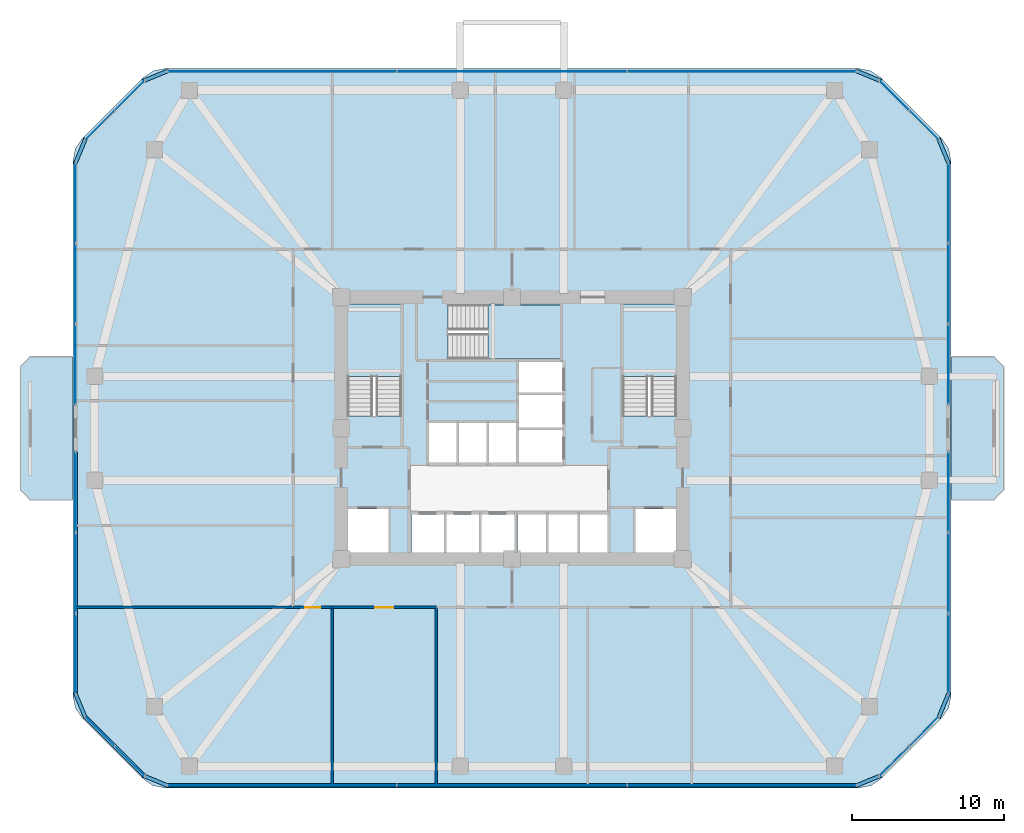
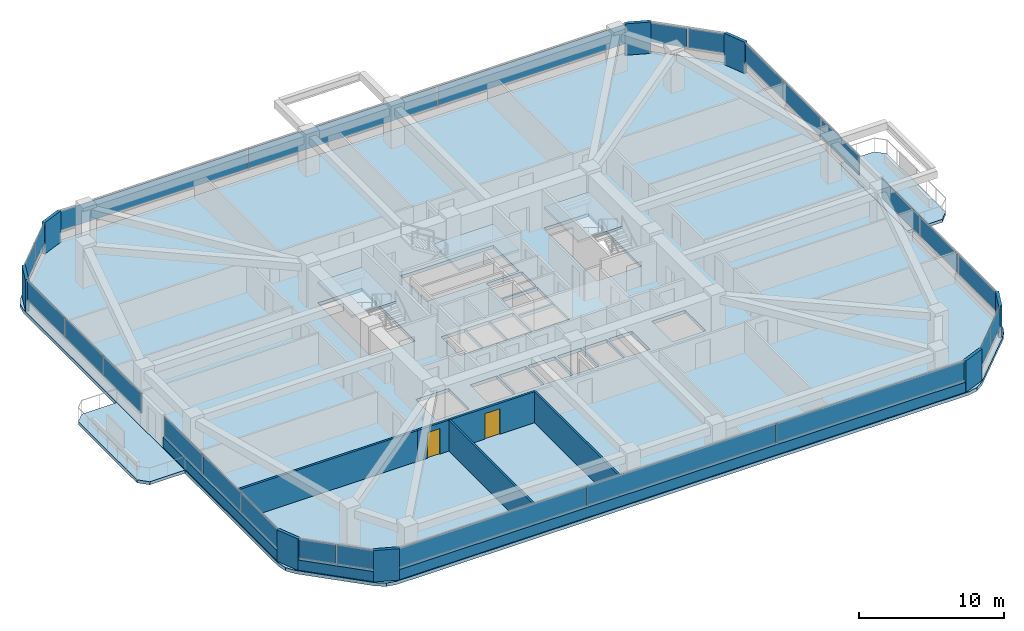
# One storey, part 9 of 15: 34 plates, 8 walls, 6 slabs, 2 doors, 2 openings, 13 elements without a shape of their own.
"""IFC4 building model written with IfcOpenShell, lengths in metres."""

from ifc_helpers import new_model, si_unit, derived_unit, direction, frame, frame_2d, origin, origin_2d, place, context, subcontext, project, spatial, polyline, rectangle, outline, extrude, material, layer, layer_set, type_object, element, fill, aggregate, save


model = new_model("IFC4")

# Units and contexts
model_context = context("Model", 3, precision=1e-05, world=origin(), true_north=direction((0.0, 1.0)))
body_context = subcontext(model_context, "Body", "Model", "MODEL_VIEW")
ifc_project = project(units=[si_unit("LENGTHUNIT", "METRE"), si_unit("AREAUNIT", "SQUARE_METRE"), si_unit("VOLUMEUNIT", "CUBIC_METRE"), si_unit("PLANEANGLEUNIT", "RADIAN"), si_unit("MASSUNIT", "GRAM", prefix="KILO"), derived_unit("THERMALTRANSMITTANCEUNIT", [(si_unit("POWERUNIT", "WATT"), 1), (si_unit("LENGTHUNIT", "METRE"), -2), (si_unit("THERMODYNAMICTEMPERATUREUNIT", "KELVIN"), -1)])], contexts=[model_context])

# Site, building, storey
site_placement = place(None, origin())
site = spatial("IfcSite", under=ifc_project, at=site_placement, CompositionType="ELEMENT")
building_placement = place(site_placement, origin())
building = spatial("IfcBuilding", under=site, at=building_placement, Name="Koralith Skygarden Medical Center", CompositionType="ELEMENT")
storey_placement = place(building_placement, frame((0.0, 0.0, 41.93994140625)))
storey = spatial("IfcBuildingStorey", under=building, at=storey_placement, Name="L10", CompositionType="ELEMENT", Elevation=41.93994140625)

# Curtain wall, plates
ifc_material_1 = material(Name="Clear Laminated Glass", Category="glass")
curtain_wall_type = type_object("IfcCurtainWallType", Name="CW-2 Zone 1 Hurricane Unitised Curtain Wall", PredefinedType="NOTDEFINED", material=ifc_material_1)
curtain_wall_1_placement = place(storey_placement, origin())
curtain_wall_1 = element("IfcCurtainWall", 1, at=curtain_wall_1_placement, inside=storey, type_object=curtain_wall_type, Name="Curtain Wall CW-L10-S", PredefinedType="NOTDEFINED")
ifc_layer_1 = layer(ifc_material_1, 0.031982421875)
ifc_layer_set_1 = layer_set([ifc_layer_1], Name="Clear Laminated Glass")
plate_type_1 = type_object("IfcPlateType", Name="CW-2 Hurricane Laminated IGU Panel 32", PredefinedType="CURTAIN_PANEL", material=ifc_layer_set_1)
plate_1_placement = place(storey_placement, frame((21.903076171875, 2.47998046875, 0.919921875), z_axis=(0.0, 0.0, 1.0), x_axis=(1.0, 0.0, 0.0)))
plate_1 = element("IfcPlate", 2, at=plate_1_placement, type_object=plate_type_1, Name="CW-L10-S Glazed Panel 1", PredefinedType="CURTAIN_PANEL", context=body_context, shape_type="SweptSolid", body=[
    extrude(rectangle(XDim=15.007080078125, YDim=0.031982421875, at=origin_2d()), origin(), (0.0, 0.0, 1.0), 1.659912109375),
])
plate_2_placement = place(storey_placement, frame((37.0, 2.47998046875, 0.919921875), z_axis=(0.0, 0.0, 1.0), x_axis=(1.0, 0.0, 0.0)))
plate_2 = element("IfcPlate", 3, at=plate_2_placement, type_object=plate_type_1, Name="CW-L10-S Glazed Panel 2", PredefinedType="CURTAIN_PANEL", context=body_context, shape_type="SweptSolid", body=[
    extrude(rectangle(XDim=15.007080078125, YDim=0.031982421875, at=origin_2d()), origin(), (0.0, 0.0, 1.0), 1.659912109375),
])
plate_3_placement = place(storey_placement, frame((52.096923828125, 2.47998046875, 0.919921875), z_axis=(0.0, 0.0, 1.0), x_axis=(1.0, 0.0, 0.0)))
plate_3 = element("IfcPlate", 4, at=plate_3_placement, type_object=plate_type_1, Name="CW-L10-S Glazed Panel 3", PredefinedType="CURTAIN_PANEL", context=body_context, shape_type="SweptSolid", body=[
    extrude(rectangle(XDim=15.007080078125, YDim=0.031982421875, at=origin_2d()), origin(), (0.0, 0.0, 1.0), 1.659912109375),
])
aggregate(curtain_wall_1, [plate_1, plate_2, plate_3])

curtain_wall_2_placement = place(storey_placement, origin())
curtain_wall_2 = element("IfcCurtainWall", 5, at=curtain_wall_2_placement, inside=storey, type_object=curtain_wall_type, Name="Curtain Wall CW-L10-SE", PredefinedType="NOTDEFINED")
plate_4_placement = place(storey_placement, frame((62.076904296875, 4.06201171875, 0.919921875), z_axis=(0.0, 0.0, 1.0), x_axis=(0.707106781187, 0.707106781187, 0.0)))
plate_4 = element("IfcPlate", 6, at=plate_4_placement, type_object=plate_type_1, Name="CW-L10-SE Glazed Panel 1", PredefinedType="CURTAIN_PANEL", context=body_context, shape_type="SweptSolid", body=[
    extrude(rectangle(XDim=2.68408203125, YDim=0.031982421875, at=origin_2d()), origin(), (0.0, 0.0, 1.0), 1.659912109375),
])
plate_5_placement = place(storey_placement, frame((64.0380859375, 6.02294921875, 0.919921875), z_axis=(0.0, 0.0, 1.0), x_axis=(0.707106781187, 0.707106781187, 0.0)))
plate_5 = element("IfcPlate", 7, at=plate_5_placement, type_object=plate_type_1, Name="CW-L10-SE Glazed Panel 2", PredefinedType="CURTAIN_PANEL", context=body_context, shape_type="SweptSolid", body=[
    extrude(rectangle(XDim=2.68408203125, YDim=0.031982421875, at=origin_2d()), origin(), (0.0, 0.0, 1.0), 1.659912109375),
])
aggregate(curtain_wall_2, [plate_4, plate_5])

curtain_wall_3_placement = place(storey_placement, origin())
curtain_wall_3 = element("IfcCurtainWall", 8, at=curtain_wall_3_placement, inside=storey, type_object=curtain_wall_type, Name="Curtain Wall CW-L10-E-L", PredefinedType="NOTDEFINED")
plate_6_placement = place(storey_placement, frame((65.6201171875, 11.10595703125, 0.919921875), z_axis=(0.0, 0.0, 1.0), x_axis=(0.0, 1.0, 0.0)))
plate_6 = element("IfcPlate", 9, at=plate_6_placement, type_object=plate_type_1, Name="CW-L10-E-L Glazed Panel 1", PredefinedType="CURTAIN_PANEL", context=body_context, shape_type="SweptSolid", body=[
    extrude(rectangle(XDim=5.2119140625, YDim=0.031982421875, at=origin_2d()), origin(), (0.0, 0.0, 1.0), 1.659912109375),
])
plate_7_placement = place(storey_placement, frame((65.6201171875, 16.406982421875, 0.919921875), z_axis=(0.0, 0.0, 1.0), x_axis=(0.0, 1.0, 0.0)))
plate_7 = element("IfcPlate", 10, at=plate_7_placement, type_object=plate_type_1, Name="CW-L10-E-L Glazed Panel 2", PredefinedType="CURTAIN_PANEL", context=body_context, shape_type="SweptSolid", body=[
    extrude(rectangle(XDim=5.2119140625, YDim=0.031982421875, at=origin_2d()), origin(), (0.0, 0.0, 1.0), 1.659912109375),
])
plate_8_placement = place(storey_placement, frame((65.6201171875, 21.708984375, 0.919921875), z_axis=(0.0, 0.0, 1.0), x_axis=(0.0, 1.0, 0.0)))
plate_8 = element("IfcPlate", 11, at=plate_8_placement, type_object=plate_type_1, Name="CW-L10-E-L Glazed Panel 3", PredefinedType="CURTAIN_PANEL", context=body_context, shape_type="SweptSolid", body=[
    extrude(rectangle(XDim=5.2119140625, YDim=0.031982421875, at=origin_2d()), origin(), (0.0, 0.0, 1.0), 1.659912109375),
])
aggregate(curtain_wall_3, [plate_6, plate_7, plate_8])

curtain_wall_4_placement = place(storey_placement, origin())
curtain_wall_4 = element("IfcCurtainWall", 12, at=curtain_wall_4_placement, inside=storey, type_object=curtain_wall_type, Name="Curtain Wall CW-L10-E-R", PredefinedType="NOTDEFINED")
plate_9_placement = place(storey_placement, frame((65.6201171875, 30.091064453125, 0.919921875), z_axis=(0.0, 0.0, 1.0), x_axis=(0.0, 1.0, 0.0)))
plate_9 = element("IfcPlate", 13, at=plate_9_placement, type_object=plate_type_1, Name="CW-L10-E-R Glazed Panel 1", PredefinedType="CURTAIN_PANEL", context=body_context, shape_type="SweptSolid", body=[
    extrude(rectangle(XDim=5.2119140625, YDim=0.031982421875, at=origin_2d()), origin(), (0.0, 0.0, 1.0), 1.659912109375),
])
plate_10_placement = place(storey_placement, frame((65.6201171875, 35.39208984375, 0.919921875), z_axis=(0.0, 0.0, 1.0), x_axis=(0.0, 1.0, 0.0)))
plate_10 = element("IfcPlate", 14, at=plate_10_placement, type_object=plate_type_1, Name="CW-L10-E-R Glazed Panel 2", PredefinedType="CURTAIN_PANEL", context=body_context, shape_type="SweptSolid", body=[
    extrude(rectangle(XDim=5.2119140625, YDim=0.031982421875, at=origin_2d()), origin(), (0.0, 0.0, 1.0), 1.659912109375),
])
plate_11_placement = place(storey_placement, frame((65.6201171875, 40.694091796875, 0.919921875), z_axis=(0.0, 0.0, 1.0), x_axis=(0.0, 1.0, 0.0)))
plate_11 = element("IfcPlate", 15, at=plate_11_placement, type_object=plate_type_1, Name="CW-L10-E-R Glazed Panel 3", PredefinedType="CURTAIN_PANEL", context=body_context, shape_type="SweptSolid", body=[
    extrude(rectangle(XDim=5.2119140625, YDim=0.031982421875, at=origin_2d()), origin(), (0.0, 0.0, 1.0), 1.659912109375),
])
aggregate(curtain_wall_4, [plate_9, plate_10, plate_11])

curtain_wall_5_placement = place(storey_placement, origin())
curtain_wall_5 = element("IfcCurtainWall", 16, at=curtain_wall_5_placement, inside=storey, type_object=curtain_wall_type, Name="Curtain Wall CW-L10-NE", PredefinedType="NOTDEFINED")
plate_12_placement = place(storey_placement, frame((64.0380859375, 45.777099609375, 0.919921875), z_axis=(0.0, 0.0, 1.0), x_axis=(-0.707106781187, 0.707106781187, 0.0)))
plate_12 = element("IfcPlate", 17, at=plate_12_placement, type_object=plate_type_1, Name="CW-L10-NE Glazed Panel 1", PredefinedType="CURTAIN_PANEL", context=body_context, shape_type="SweptSolid", body=[
    extrude(rectangle(XDim=2.68408203125, YDim=0.031982421875, at=origin_2d()), origin(), (0.0, 0.0, 1.0), 1.659912109375),
])
plate_13_placement = place(storey_placement, frame((62.076904296875, 47.738037109375, 0.919921875), z_axis=(0.0, 0.0, 1.0), x_axis=(-0.707106781187, 0.707106781187, 0.0)))
plate_13 = element("IfcPlate", 18, at=plate_13_placement, type_object=plate_type_1, Name="CW-L10-NE Glazed Panel 2", PredefinedType="CURTAIN_PANEL", context=body_context, shape_type="SweptSolid", body=[
    extrude(rectangle(XDim=2.68408203125, YDim=0.031982421875, at=origin_2d()), origin(), (0.0, 0.0, 1.0), 1.659912109375),
])
aggregate(curtain_wall_5, [plate_12, plate_13])

curtain_wall_6_placement = place(storey_placement, origin())
curtain_wall_6 = element("IfcCurtainWall", 19, at=curtain_wall_6_placement, inside=storey, type_object=curtain_wall_type, Name="Curtain Wall CW-L10-N", PredefinedType="NOTDEFINED")
plate_14_placement = place(storey_placement, frame((52.096923828125, 49.320068359375, 0.919921875), z_axis=(0.0, 0.0, 1.0), x_axis=(-1.0, 0.0, 0.0)))
plate_14 = element("IfcPlate", 20, at=plate_14_placement, type_object=plate_type_1, Name="CW-L10-N Glazed Panel 1", PredefinedType="CURTAIN_PANEL", context=body_context, shape_type="SweptSolid", body=[
    extrude(rectangle(XDim=15.007080078125, YDim=0.031982421875, at=origin_2d()), origin(), (0.0, 0.0, 1.0), 1.659912109375),
])
plate_15_placement = place(storey_placement, frame((37.0, 49.320068359375, 0.919921875), z_axis=(0.0, 0.0, 1.0), x_axis=(-1.0, 0.0, 0.0)))
plate_15 = element("IfcPlate", 21, at=plate_15_placement, type_object=plate_type_1, Name="CW-L10-N Glazed Panel 2", PredefinedType="CURTAIN_PANEL", context=body_context, shape_type="SweptSolid", body=[
    extrude(rectangle(XDim=15.007080078125, YDim=0.031982421875, at=origin_2d()), origin(), (0.0, 0.0, 1.0), 1.659912109375),
])
plate_16_placement = place(storey_placement, frame((21.903076171875, 49.320068359375, 0.919921875), z_axis=(0.0, 0.0, 1.0), x_axis=(-1.0, 0.0, 0.0)))
plate_16 = element("IfcPlate", 22, at=plate_16_placement, type_object=plate_type_1, Name="CW-L10-N Glazed Panel 3", PredefinedType="CURTAIN_PANEL", context=body_context, shape_type="SweptSolid", body=[
    extrude(rectangle(XDim=15.007080078125, YDim=0.031982421875, at=origin_2d()), origin(), (0.0, 0.0, 1.0), 1.659912109375),
])
aggregate(curtain_wall_6, [plate_14, plate_15, plate_16])

curtain_wall_7_placement = place(storey_placement, origin())
curtain_wall_7 = element("IfcCurtainWall", 23, at=curtain_wall_7_placement, inside=storey, type_object=curtain_wall_type, Name="Curtain Wall CW-L10-NW", PredefinedType="NOTDEFINED")
plate_17_placement = place(storey_placement, frame((11.923095703125, 47.738037109375, 0.919921875), z_axis=(0.0, 0.0, 1.0), x_axis=(-0.707106781187, -0.707106781187, 0.0)))
plate_17 = element("IfcPlate", 24, at=plate_17_placement, type_object=plate_type_1, Name="CW-L10-NW Glazed Panel 1", PredefinedType="CURTAIN_PANEL", context=body_context, shape_type="SweptSolid", body=[
    extrude(rectangle(XDim=2.68408203125, YDim=0.031982421875, at=origin_2d()), origin(), (0.0, 0.0, 1.0), 1.659912109375),
])
plate_18_placement = place(storey_placement, frame((9.9619140625, 45.777099609375, 0.919921875), z_axis=(0.0, 0.0, 1.0), x_axis=(-0.707106781187, -0.707106781187, 0.0)))
plate_18 = element("IfcPlate", 25, at=plate_18_placement, type_object=plate_type_1, Name="CW-L10-NW Glazed Panel 2", PredefinedType="CURTAIN_PANEL", context=body_context, shape_type="SweptSolid", body=[
    extrude(rectangle(XDim=2.68408203125, YDim=0.031982421875, at=origin_2d()), origin(), (0.0, 0.0, 1.0), 1.659912109375),
])
aggregate(curtain_wall_7, [plate_17, plate_18])

curtain_wall_8_placement = place(storey_placement, origin())
curtain_wall_8 = element("IfcCurtainWall", 26, at=curtain_wall_8_placement, inside=storey, type_object=curtain_wall_type, Name="Curtain Wall CW-L10-W-L", PredefinedType="NOTDEFINED")
plate_19_placement = place(storey_placement, frame((8.3798828125, 40.694091796875, 0.919921875), z_axis=(0.0, 0.0, 1.0), x_axis=(0.0, -1.0, 0.0)))
plate_19 = element("IfcPlate", 27, at=plate_19_placement, type_object=plate_type_1, Name="CW-L10-W-L Glazed Panel 1", PredefinedType="CURTAIN_PANEL", context=body_context, shape_type="SweptSolid", body=[
    extrude(rectangle(XDim=5.2119140625, YDim=0.031982421875, at=origin_2d()), origin(), (0.0, 0.0, 1.0), 1.659912109375),
])
plate_20_placement = place(storey_placement, frame((8.3798828125, 35.39208984375, 0.919921875), z_axis=(0.0, 0.0, 1.0), x_axis=(0.0, -1.0, 0.0)))
plate_20 = element("IfcPlate", 28, at=plate_20_placement, type_object=plate_type_1, Name="CW-L10-W-L Glazed Panel 2", PredefinedType="CURTAIN_PANEL", context=body_context, shape_type="SweptSolid", body=[
    extrude(rectangle(XDim=5.2119140625, YDim=0.031982421875, at=origin_2d()), origin(), (0.0, 0.0, 1.0), 1.659912109375),
])
plate_21_placement = place(storey_placement, frame((8.3798828125, 30.091064453125, 0.919921875), z_axis=(0.0, 0.0, 1.0), x_axis=(0.0, -1.0, 0.0)))
plate_21 = element("IfcPlate", 29, at=plate_21_placement, type_object=plate_type_1, Name="CW-L10-W-L Glazed Panel 3", PredefinedType="CURTAIN_PANEL", context=body_context, shape_type="SweptSolid", body=[
    extrude(rectangle(XDim=5.2119140625, YDim=0.031982421875, at=origin_2d()), origin(), (0.0, 0.0, 1.0), 1.659912109375),
])
aggregate(curtain_wall_8, [plate_19, plate_20, plate_21])

curtain_wall_9_placement = place(storey_placement, origin())
curtain_wall_9 = element("IfcCurtainWall", 30, at=curtain_wall_9_placement, inside=storey, type_object=curtain_wall_type, Name="Curtain Wall CW-L10-W-R", PredefinedType="NOTDEFINED")
plate_22_placement = place(storey_placement, frame((8.3798828125, 21.708984375, 0.919921875), z_axis=(0.0, 0.0, 1.0), x_axis=(0.0, -1.0, 0.0)))
plate_22 = element("IfcPlate", 31, at=plate_22_placement, type_object=plate_type_1, Name="CW-L10-W-R Glazed Panel 1", PredefinedType="CURTAIN_PANEL", context=body_context, shape_type="SweptSolid", body=[
    extrude(rectangle(XDim=5.2119140625, YDim=0.031982421875, at=origin_2d()), origin(), (0.0, 0.0, 1.0), 1.659912109375),
])
plate_23_placement = place(storey_placement, frame((8.3798828125, 16.406982421875, 0.919921875), z_axis=(0.0, 0.0, 1.0), x_axis=(0.0, -1.0, 0.0)))
plate_23 = element("IfcPlate", 32, at=plate_23_placement, type_object=plate_type_1, Name="CW-L10-W-R Glazed Panel 2", PredefinedType="CURTAIN_PANEL", context=body_context, shape_type="SweptSolid", body=[
    extrude(rectangle(XDim=5.2119140625, YDim=0.031982421875, at=origin_2d()), origin(), (0.0, 0.0, 1.0), 1.659912109375),
])
plate_24_placement = place(storey_placement, frame((8.3798828125, 11.10595703125, 0.919921875), z_axis=(0.0, 0.0, 1.0), x_axis=(0.0, -1.0, 0.0)))
plate_24 = element("IfcPlate", 33, at=plate_24_placement, type_object=plate_type_1, Name="CW-L10-W-R Glazed Panel 3", PredefinedType="CURTAIN_PANEL", context=body_context, shape_type="SweptSolid", body=[
    extrude(rectangle(XDim=5.2119140625, YDim=0.031982421875, at=origin_2d()), origin(), (0.0, 0.0, 1.0), 1.659912109375),
])
aggregate(curtain_wall_9, [plate_22, plate_23, plate_24])

curtain_wall_10_placement = place(storey_placement, origin())
curtain_wall_10 = element("IfcCurtainWall", 34, at=curtain_wall_10_placement, inside=storey, type_object=curtain_wall_type, Name="Curtain Wall CW-L10-SW", PredefinedType="NOTDEFINED")
plate_25_placement = place(storey_placement, frame((9.9619140625, 6.02294921875, 0.919921875), z_axis=(0.0, 0.0, 1.0), x_axis=(0.707106781187, -0.707106781187, 0.0)))
plate_25 = element("IfcPlate", 35, at=plate_25_placement, type_object=plate_type_1, Name="CW-L10-SW Glazed Panel 1", PredefinedType="CURTAIN_PANEL", context=body_context, shape_type="SweptSolid", body=[
    extrude(rectangle(XDim=2.68408203125, YDim=0.031982421875, at=origin_2d()), origin(), (0.0, 0.0, 1.0), 1.659912109375),
])
plate_26_placement = place(storey_placement, frame((11.923095703125, 4.06201171875, 0.919921875), z_axis=(0.0, 0.0, 1.0), x_axis=(0.707106781187, -0.707106781187, 0.0)))
plate_26 = element("IfcPlate", 36, at=plate_26_placement, type_object=plate_type_1, Name="CW-L10-SW Glazed Panel 2", PredefinedType="CURTAIN_PANEL", context=body_context, shape_type="SweptSolid", body=[
    extrude(rectangle(XDim=2.68408203125, YDim=0.031982421875, at=origin_2d()), origin(), (0.0, 0.0, 1.0), 1.659912109375),
])
aggregate(curtain_wall_10, [plate_25, plate_26])

# Slabs
ifc_material_2 = material(Name="Concrete C45/55", Category="concrete")
ifc_layer_2 = layer(ifc_material_2, 0.260009765625)
ifc_layer_set_2 = layer_set([ifc_layer_2], Name="Concrete C45/55")
slab_type_1 = type_object("IfcSlabType", Name="Cantilevered Planted Balcony Slab 260", PredefinedType="FLOOR", material=ifc_layer_set_2)
slab_1_placement = place(storey_placement, frame((0.0, 0.0, -0.260009765625)))
element("IfcSlab", 37, at=slab_1_placement, inside=storey, type_object=slab_type_1, Name="L10 E Planted Sky-Garden Balcony Slab", PredefinedType="FLOOR", context=body_context, shape_type="SweptSolid", body=[
    extrude(outline(polyline([(65.800048828125, 21.199951171875), (68.60009765625, 21.199951171875), (69.25, 21.85009765625), (69.25, 29.949951171875), (68.60009765625, 30.60009765625), (65.800048828125, 30.60009765625), (65.800048828125, 21.199951171875)])), origin(), (0.0, 0.0, 1.0), 0.260009765625),
])
slab_2_placement = place(storey_placement, frame((0.0, 0.0, -0.260009765625)))
element("IfcSlab", 38, at=slab_2_placement, inside=storey, type_object=slab_type_1, Name="L10 W Planted Sky-Garden Balcony Slab", PredefinedType="FLOOR", context=body_context, shape_type="SweptSolid", body=[
    extrude(outline(polyline([(5.39990234375, 21.199951171875), (8.199951171875, 21.199951171875), (8.199951171875, 30.60009765625), (5.39990234375, 30.60009765625), (4.75, 29.949951171875), (4.75, 21.85009765625), (5.39990234375, 21.199951171875)])), origin(), (0.0, 0.0, 1.0), 0.260009765625),
])

# Stair, slab
stair_type = type_object("IfcStairType", Name="Core Exit Dogleg Concrete Stair", PredefinedType="HALF_TURN_STAIR", material=ifc_material_2)
stair_1_placement = place(storey_placement, origin())
stair_1 = element("IfcStair", 39, at=stair_1_placement, inside=storey, type_object=stair_type, Name="L10 Smokeproof Exit Stair ST1", PredefinedType="HALF_TURN_STAIR")
ifc_layer_3 = layer(ifc_material_2, 0.199951171875)
ifc_layer_set_3 = layer_set([ifc_layer_3], Name="Concrete C45/55")
slab_type_2 = type_object("IfcSlabType", Name="Core Exit Concrete Stair Landing 200", PredefinedType="LANDING", material=ifc_layer_set_3)
slab_3_placement = place(storey_placement, frame((0.0, 0.0, 1.60009765625)))
slab_3 = element("IfcSlab", 40, at=slab_3_placement, type_object=slab_type_2, Name="ST1 landing 1", PredefinedType="LANDING", context=body_context, shape_type="SweptSolid", body=[
    extrude(outline(polyline([(29.75, 29.31005859375), (29.75, 34.050048828125), (26.199951171875, 34.050048828125), (26.199951171875, 29.31005859375), (29.75, 29.31005859375)])), origin(), (0.0, 0.0, 1.0), 0.199951171875),
])
aggregate(stair_1, [slab_3])

stair_2_placement = place(storey_placement, origin())
stair_2 = element("IfcStair", 41, at=stair_2_placement, inside=storey, type_object=stair_type, Name="L10 Smokeproof Exit Stair ST2", PredefinedType="HALF_TURN_STAIR")
slab_4_placement = place(storey_placement, frame((0.0, 0.0, 1.60009765625)))
slab_4 = element("IfcSlab", 42, at=slab_4_placement, type_object=slab_type_2, Name="ST2 landing 1", PredefinedType="LANDING", context=body_context, shape_type="SweptSolid", body=[
    extrude(outline(polyline([(47.800048828125, 29.31005859375), (47.800048828125, 34.050048828125), (44.25, 34.050048828125), (44.25, 29.31005859375), (47.800048828125, 29.31005859375)])), origin(), (0.0, 0.0, 1.0), 0.199951171875),
])
aggregate(stair_2, [slab_4])

stair_3_placement = place(storey_placement, origin())
stair_3 = element("IfcStair", 43, at=stair_3_placement, inside=storey, type_object=stair_type, Name="L10 Smokeproof Exit Stair ST3", PredefinedType="HALF_TURN_STAIR")
slab_5_placement = place(storey_placement, frame((0.0, 0.0, 1.60009765625)))
slab_5 = element("IfcSlab", 44, at=slab_5_placement, type_object=slab_type_2, Name="ST3 landing 1", PredefinedType="LANDING", context=body_context, shape_type="SweptSolid", body=[
    extrude(outline(polyline([(35.409912109375, 30.449951171875), (40.199951171875, 30.449951171875), (40.199951171875, 34.0), (35.409912109375, 34.0), (35.409912109375, 30.449951171875)])), origin(), (0.0, 0.0, 1.0), 0.199951171875),
])
aggregate(stair_3, [slab_5])

# Slab
ifc_layer_4 = layer(ifc_material_2, 0.280029296875)
ifc_layer_set_4 = layer_set([ifc_layer_4], Name="Concrete C45/55")
slab_type_3 = type_object("IfcSlabType", Name="Post-Tensioned Ward Floor Plate 280", PredefinedType="FLOOR", material=ifc_layer_set_4)
slab_6_placement = place(storey_placement, frame((0.0, 0.0, -0.280029296875)))
element("IfcSlab", 45, at=slab_6_placement, inside=storey, type_object=slab_type_3, Name="Level L10 Structural Floor Slab", PredefinedType="FLOOR", context=body_context, shape_type="SweptSolid", body=[
    extrude(outline(polyline([(12.81396484375, 2.885986328125), (13.462890625, 2.451904296875), (14.22802734375, 2.300048828125), (59.77197265625, 2.300048828125), (60.537109375, 2.451904296875), (61.18603515625, 2.885986328125), (65.214111328125, 6.9140625), (65.64794921875, 7.56298828125), (65.800048828125, 8.327880859375), (65.800048828125, 43.471923828125), (65.64794921875, 44.237060546875), (65.214111328125, 44.885986328125), (61.18603515625, 48.9140625), (60.537109375, 49.347900390625), (59.77197265625, 49.5), (14.22802734375, 49.5), (13.462890625, 49.347900390625), (12.81396484375, 48.9140625), (8.785888671875, 44.885986328125), (8.35205078125, 44.237060546875), (8.199951171875, 43.471923828125), (8.199951171875, 8.327880859375), (8.35205078125, 7.56298828125), (8.785888671875, 6.9140625), (12.81396484375, 2.885986328125)]), holes=[polyline([(26.199951171875, 26.705078125), (29.75, 26.705078125), (29.75, 34.050048828125), (26.199951171875, 34.050048828125), (26.199951171875, 26.705078125)]), polyline([(44.25, 26.705078125), (47.800048828125, 26.705078125), (47.800048828125, 34.050048828125), (44.25, 34.050048828125), (44.25, 26.705078125)]), polyline([(32.804931640625, 30.449951171875), (40.199951171875, 30.449951171875), (40.199951171875, 34.0), (32.804931640625, 34.0), (32.804931640625, 30.449951171875)]), polyline([(26.25, 17.75), (28.89990234375, 17.75), (28.89990234375, 20.60009765625), (26.25, 20.60009765625), (26.25, 17.75)]), polyline([(45.10009765625, 17.75), (47.75, 17.75), (47.75, 20.60009765625), (45.10009765625, 20.60009765625), (45.10009765625, 17.75)]), polyline([(30.39990234375, 17.75), (32.550048828125, 17.75), (32.550048828125, 20.25), (30.39990234375, 20.25), (30.39990234375, 17.75)]), polyline([(32.699951171875, 17.75), (34.85009765625, 17.75), (34.85009765625, 20.25), (32.699951171875, 20.25), (32.699951171875, 17.75)]), polyline([(35.0, 17.75), (37.14990234375, 17.75), (37.14990234375, 20.25), (35.0, 20.25), (35.0, 17.75)]), polyline([(37.35009765625, 17.75), (39.25, 17.75), (39.25, 20.25), (37.35009765625, 20.25), (37.35009765625, 17.75)]), polyline([(39.39990234375, 17.75), (41.300048828125, 17.75), (41.300048828125, 20.25), (39.39990234375, 20.25), (39.39990234375, 17.75)]), polyline([(41.449951171875, 17.75), (43.300048828125, 17.75), (43.300048828125, 20.25), (41.449951171875, 20.25), (41.449951171875, 17.75)]), polyline([(31.550048828125, 23.64990234375), (33.39990234375, 23.64990234375), (33.39990234375, 26.25), (31.550048828125, 26.25), (31.550048828125, 23.64990234375)]), polyline([(33.5, 23.64990234375), (35.35009765625, 23.64990234375), (35.35009765625, 26.25), (33.5, 26.25), (33.5, 23.64990234375)]), polyline([(35.449951171875, 23.64990234375), (37.300048828125, 23.64990234375), (37.300048828125, 26.25), (35.449951171875, 26.25), (35.449951171875, 23.64990234375)]), polyline([(37.449951171875, 23.64990234375), (40.300048828125, 23.64990234375), (40.300048828125, 25.800048828125), (37.449951171875, 25.800048828125), (37.449951171875, 23.64990234375)]), polyline([(37.449951171875, 25.949951171875), (40.300048828125, 25.949951171875), (40.300048828125, 28.10009765625), (37.449951171875, 28.10009765625), (37.449951171875, 25.949951171875)]), polyline([(37.449951171875, 28.25), (40.300048828125, 28.25), (40.300048828125, 30.25), (37.449951171875, 30.25), (37.449951171875, 28.25)])]), origin(), (0.0, 0.0, 1.0), 0.280029296875),
])

# Plates
ifc_material_3 = material(Name="Warm Oolitic Limestone Cladding", Category="masonry")
ifc_layer_5 = layer(ifc_material_3, 0.239990234375)
ifc_layer_set_5 = layer_set([ifc_layer_5], Name="Warm Oolitic Limestone Cladding")
plate_type_2 = type_object("IfcPlateType", Name="Rounded-Corner Oolitic Limestone Cladding Panel 240", PredefinedType="USERDEFINED", material=ifc_layer_set_5)
for number, where, z_axis, x_axis, name in (
    (46, (60.3701171875, 2.780029296875, 0.0), (0.0, 0.0, 1.0), (0.92388487569, 0.382670532536, 0.0), "L10 Rounded-Corner Limestone Pier 1"),
    (47, (65.320068359375, 7.72900390625, 0.0), (0.0, 0.0, 1.0), (0.382670532536, 0.92388487569, 0.0), "L10 Rounded-Corner Limestone Pier 2"),
    (48, (65.320068359375, 44.070068359375, 0.0), (0.0, 0.0, 1.0), (-0.382670532536, 0.92388487569, 0.0), "L10 Rounded-Corner Limestone Pier 3"),
    (49, (60.3701171875, 49.02001953125, 0.0), (0.0, 0.0, 1.0), (-0.92388487569, 0.382670532536, 0.0), "L10 Rounded-Corner Limestone Pier 4"),
    (50, (13.6298828125, 49.02001953125, 0.0), (0.0, 0.0, 1.0), (-0.92388487569, -0.382670532536, 0.0), "L10 Rounded-Corner Limestone Pier 5"),
    (51, (8.680908203125, 44.070068359375, 0.0), (0.0, 0.0, 1.0), (-0.382670532536, -0.92388487569, 0.0), "L10 Rounded-Corner Limestone Pier 6"),
    (52, (8.680908203125, 7.72900390625, 0.0), (0.0, 0.0, 1.0), (0.382670532536, -0.92388487569, 0.0), "L10 Rounded-Corner Limestone Pier 7"),
    (53, (13.6298828125, 2.780029296875, 0.0), (0.0, 0.0, 1.0), (0.92388487569, -0.382670532536, 0.0), "L10 Rounded-Corner Limestone Pier 8"),
):
    element("IfcPlate", number, at=place(storey_placement, frame(where, z_axis=z_axis, x_axis=x_axis)), inside=storey, type_object=plate_type_2, Name=name, ObjectType="LIMESTONE CLADDING", PredefinedType="USERDEFINED", context=body_context, shape_type="SweptSolid", body=[
        extrude(rectangle(XDim=1.81103515625, YDim=0.239990234375, at=origin_2d()), origin(), (0.0, 0.0, 1.0), 2.64990234375),
    ])

# Walls
ifc_material_4 = material(Name="Gypsum Board Partition")
ifc_layer_6 = layer(ifc_material_4, 0.14990234375)
ifc_layer_set_6 = layer_set([ifc_layer_6], Name="Gypsum Board Partition")
wall_type_1 = type_object("IfcWallType", Name="Clinical Acoustic Partition 150", PredefinedType="PARTITIONING", material=ifc_layer_set_6)
for number, where, z_axis, x_axis, name in (
    (54, (25.199951171875, 14.14990234375, 0.0), (0.0, 0.0, 1.0), (0.0, -1.0, 0.0), "L10 Clinical Acoustic Partition 150 W-PART-L10-S-01"),
    (55, (32.035888671875, 14.14990234375, 0.0), (0.0, 0.0, 1.0), (0.0, -1.0, 0.0), "L10 Clinical Acoustic Partition 150 W-PART-L10-S-02"),
):
    element("IfcWall", number, at=place(storey_placement, frame(where, z_axis=z_axis, x_axis=x_axis)), inside=storey, type_object=wall_type_1, Name=name, PredefinedType="PARTITIONING", context=body_context, shape_type="SweptSolid", body=[
        extrude(rectangle(XDim=11.64990234375, YDim=0.14990234375, at=frame_2d((5.824951171875, 0.0))), origin(), (0.0, 0.0, 1.0), 2.610107421875),
    ])
ifc_layer_7 = layer(ifc_material_4, 0.1650390625)
ifc_layer_set_7 = layer_set([ifc_layer_7], Name="Gypsum Board Partition")
wall_type_2 = type_object("IfcWallType", Name="Clinical Corridor Partition 165", PredefinedType="PARTITIONING", material=ifc_layer_set_7)
wall_1_placement = place(storey_placement, frame((8.39990234375, 14.14990234375, 0.0), z_axis=(0.0, 0.0, 1.0), x_axis=(1.0, 0.0, 0.0)))
element("IfcWall", 56, at=wall_1_placement, inside=storey, type_object=wall_type_2, Name="L10 Clinical Corridor Partition 165 W-WB-L10-SW", PredefinedType="PARTITIONING", context=body_context, shape_type="SweptSolid", body=[
    extrude(rectangle(XDim=14.25, YDim=0.1650390625, at=frame_2d((7.125, 0.0))), origin(), (0.0, 0.0, 1.0), 2.610107421875),
])

# Wall, opening, door
wall_2_placement = place(storey_placement, frame((22.64990234375, 14.14990234375, 0.0), z_axis=(0.0, 0.0, 1.0), x_axis=(1.0, 0.0, 0.0)))
wall_2 = element("IfcWall", 57, at=wall_2_placement, inside=storey, type_object=wall_type_2, Name="L10 Clinical Corridor Partition 165 W-CORR-L10-S-01", PredefinedType="PARTITIONING", context=body_context, shape_type="SweptSolid", body=[
    extrude(rectangle(XDim=2.550048828125, YDim=0.1650390625, at=frame_2d((1.27490234375, 0.0))), origin(), (0.0, 0.0, 1.0), 2.610107421875),
])
opening_1_placement = place(wall_2_placement, frame((0.77490234375, 0.0, 0.0)))
opening_1 = element("IfcOpeningElement", 58, at=opening_1_placement, cuts=wall_2, Name="Opening D-SUP", PredefinedType="OPENING", context=body_context, shape_type="SweptSolid", body=[
    extrude(rectangle(XDim=1.0, YDim=2.14990234375, at=frame_2d((0.5, 1.074951171875))), frame((0.0, 0.092529296875, 0.0), z_axis=(0.0, -1.0, 0.0), x_axis=(1.0, 0.0, 0.0)), (0.0, 0.0, 1.0), 0.18505859375),
])
ifc_material_5 = material(Name="Aluminium 6063-T6", Category="aluminium")
door_type_1 = type_object("IfcDoorType", Name="Clinical Support Door D-SUP 1000", OperationType="NOTDEFINED", PredefinedType="DOOR", material=ifc_material_5)
door_1_placement = place(opening_1_placement, frame((1.0, 0.0, 0.0), z_axis=(0.0, 0.0, 1.0), x_axis=(-1.0, 0.0, 0.0)))
door_1 = element("IfcDoor", 59, at=door_1_placement, inside=storey, type_object=door_type_1, Name="L10 Multidisciplinary Clinical Conference Room 06 Door", OperationType="SINGLE_SWING_LEFT", OverallHeight=2.14990234375, OverallWidth=1.0, PredefinedType="DOOR", context=body_context, shape_type="SweptSolid", body=[
    extrude(rectangle(XDim=1.0, YDim=2.14990234375, at=frame_2d((0.5, 1.074951171875))), frame((0.0, 0.02490234375, 0.0), z_axis=(0.0, -1.0, 0.0), x_axis=(1.0, 0.0, 0.0)), (0.0, 0.0, 1.0), 0.050048828125),
])
fill(opening_1, door_1)

wall_3_placement = place(storey_placement, frame((25.199951171875, 14.14990234375, 0.0), z_axis=(0.0, 0.0, 1.0), x_axis=(1.0, 0.0, 0.0)))
wall_3 = element("IfcWall", 60, at=wall_3_placement, inside=storey, type_object=wall_type_2, Name="L10 Clinical Corridor Partition 165 W-CORR-L10-S-02", PredefinedType="PARTITIONING", context=body_context, shape_type="SweptSolid", body=[
    extrude(rectangle(XDim=6.8359375, YDim=0.1650390625, at=frame_2d((3.41796875, 0.0))), origin(), (0.0, 0.0, 1.0), 2.610107421875),
])
opening_2_placement = place(wall_3_placement, frame((2.818115234375, 0.0, 0.0)))
opening_2 = element("IfcOpeningElement", 61, at=opening_2_placement, cuts=wall_3, Name="Opening D-CLN", PredefinedType="OPENING", context=body_context, shape_type="SweptSolid", body=[
    extrude(rectangle(XDim=1.199951171875, YDim=2.14990234375, at=frame_2d((0.60009765625, 1.074951171875))), frame((0.0, 0.092529296875, 0.0), z_axis=(0.0, -1.0, 0.0), x_axis=(1.0, 0.0, 0.0)), (0.0, 0.0, 1.0), 0.18505859375),
])
door_type_2 = type_object("IfcDoorType", Name="Clinical Corridor Door D-CLN 1200", OperationType="NOTDEFINED", PredefinedType="DOOR", material=ifc_material_5)
door_2_placement = place(opening_2_placement, frame((1.199951171875, 0.0, 0.0), z_axis=(0.0, 0.0, 1.0), x_axis=(-1.0, 0.0, 0.0)))
door_2 = element("IfcDoor", 62, at=door_2_placement, inside=storey, type_object=door_type_2, Name="L10 Clean Linen Supply Store 07 Door", OperationType="SINGLE_SWING_RIGHT", OverallHeight=2.14990234375, OverallWidth=1.199951171875, PredefinedType="DOOR", context=body_context, shape_type="SweptSolid", body=[
    extrude(rectangle(XDim=1.199951171875, YDim=2.14990234375, at=frame_2d((0.60009765625, 1.074951171875))), frame((0.0, 0.02490234375, 0.0), z_axis=(0.0, -1.0, 0.0), x_axis=(1.0, 0.0, 0.0)), (0.0, 0.0, 1.0), 0.050048828125),
])
fill(opening_2, door_2)

# Walls
ifc_layer_8 = layer(ifc_material_3, 0.239990234375)
ifc_layer_set_8 = layer_set([ifc_layer_8], Name="Warm Oolitic Limestone Cladding")
wall_type_3 = type_object("IfcWallType", Name="Limestone Spandrel Sill Backup Wall 240", PredefinedType="SOLIDWALL", material=ifc_layer_set_8)
wall_4_placement = place(storey_placement, frame((14.35498046875, 2.47998046875, 0.0), z_axis=(0.0, 0.0, 1.0), x_axis=(1.0, 0.0, 0.0)))
element("IfcWall", 63, at=wall_4_placement, inside=storey, type_object=wall_type_3, Name="L10 Sill Spandrel S", PredefinedType="SOLIDWALL", context=body_context, shape_type="SweptSolid", body=[
    extrude(rectangle(XDim=45.2900390625, YDim=0.239990234375, at=frame_2d((22.64501953125, 0.0))), origin(), (0.0, 0.0, 1.0), 0.85009765625),
])
wall_5_placement = place(storey_placement, frame((8.3798828125, 24.360107421875, 0.0), z_axis=(0.0, 0.0, 1.0), x_axis=(0.0, -1.0, 0.0)))
element("IfcWall", 64, at=wall_5_placement, inside=storey, type_object=wall_type_3, Name="L10 Sill Spandrel W-R", PredefinedType="SOLIDWALL", context=body_context, shape_type="SweptSolid", body=[
    extrude(rectangle(XDim=15.905029296875, YDim=0.239990234375, at=frame_2d((7.95263671875, 0.0))), origin(), (0.0, 0.0, 1.0), 0.85009765625),
])
wall_6_placement = place(storey_placement, frame((8.98095703125, 7.00390625, 0.0), z_axis=(0.0, 0.0, 1.0), x_axis=(0.707128783731, -0.707084777957, 0.0)))
element("IfcWall", 65, at=wall_6_placement, inside=storey, type_object=wall_type_3, Name="L10 Sill Spandrel SW", PredefinedType="SOLIDWALL", context=body_context, shape_type="SweptSolid", body=[
    extrude(rectangle(XDim=5.5478515625, YDim=0.239990234375, at=frame_2d((2.77392578125, 0.0))), origin(), (0.0, 0.0, 1.0), 0.85009765625),
])

save(model, "model.ifc")
